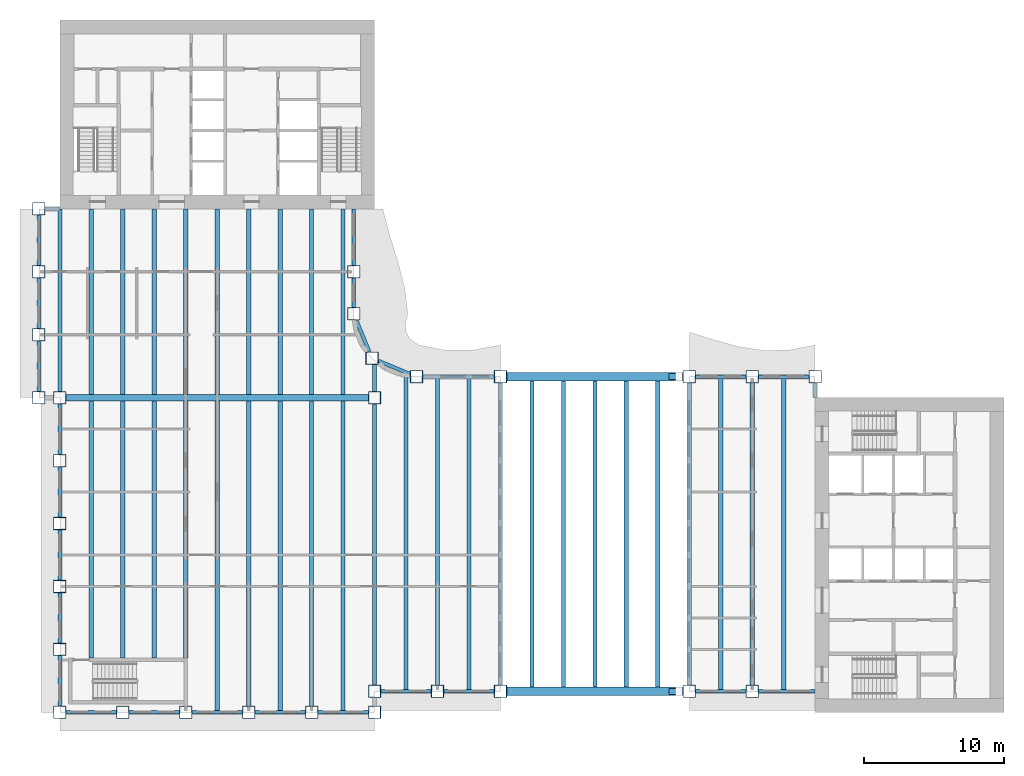
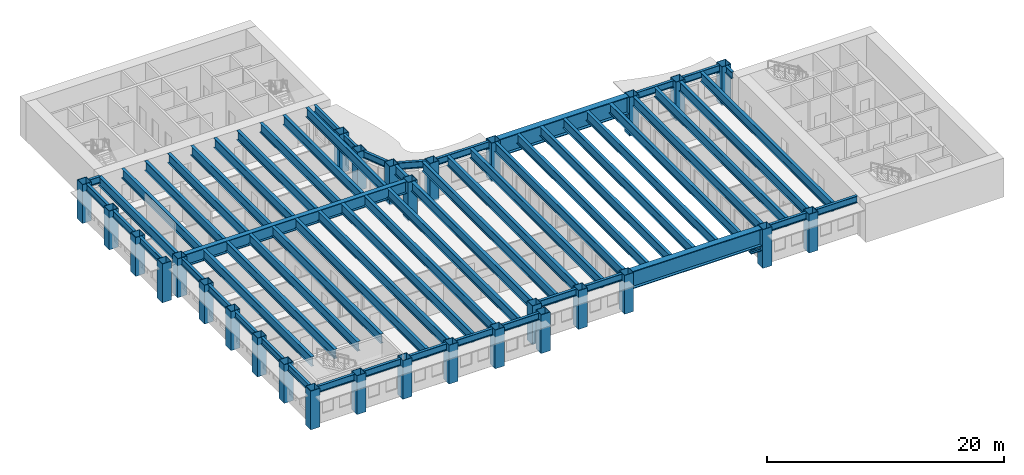
# One storey, part 1 of 13: 63 beams, 29 columns, 2 members.
"""IFC4 building model written with IfcOpenShell, lengths in metres."""

from ifc_helpers import new_model, si_unit, direction, frame, origin, origin_2d, place, context, subcontext, project, spatial, hollow_rectangle, i_section, extrude, material, material_profile, profile_set, type_object, element, save


model = new_model("IFC4")

# Units and contexts
model_context = context("Model", 3, precision=1e-05, world=origin(), true_north=direction((0.0, 1.0)))
body_context = subcontext(model_context, "Body", "Model", "MODEL_VIEW")
ifc_project = project(units=[si_unit("LENGTHUNIT", "METRE"), si_unit("AREAUNIT", "SQUARE_METRE"), si_unit("VOLUMEUNIT", "CUBIC_METRE"), si_unit("PLANEANGLEUNIT", "RADIAN"), si_unit("MASSUNIT", "GRAM", prefix="KILO")], contexts=[model_context])

# Site, building, storey
site_placement = place(None, origin())
site = spatial("IfcSite", under=ifc_project, at=site_placement, CompositionType="ELEMENT")
building_placement = place(site_placement, origin())
building = spatial("IfcBuilding", under=site, at=building_placement, Name="Sennacour Bend Tower", CompositionType="ELEMENT")
storey_placement = place(building_placement, frame((0.0, 0.0, 147.0)))
storey = spatial("IfcBuildingStorey", under=building, at=storey_placement, Name="L33", CompositionType="ELEMENT", Elevation=147.0)

# Columns
ifc_material_1 = material(Name="Steel ASTM A572 Grade 50", Category="steel")
ifc_material_profile_1 = material_profile(ifc_material_1, hollow_rectangle(XDim=0.89990234375, YDim=0.89990234375, WallThickness=0.044921875, at=origin_2d()), Name="Steel ASTM A572 Grade 50", Category="steel")
ifc_profile_set_1 = profile_set([ifc_material_profile_1], Name="Steel ASTM A572 Grade 50")
column_type = type_object("IfcColumnType", Name="Box column 900", PredefinedType="COLUMN", material=ifc_profile_set_1)
for number, where, z_axis, x_axis, name in (
    (1, (-1.5, 22.5, -0.14990234375), (0.0, 0.0, 1.0), (1.0, 0.0, 0.0), "Perimeter column C3 L33-001"),
    (2, (-1.5, 27.0, -0.14990234375), (0.0, 0.0, 1.0), (1.0, 0.0, 0.0), "Perimeter column C3 L33-002"),
    (3, (-1.5, 31.5, -0.14990234375), (0.0, 0.0, 1.0), (1.0, 0.0, 0.0), "Perimeter column C3 L33-003"),
    (4, (-1.5, 36.0, -0.14990234375), (0.0, 0.0, 1.0), (1.0, 0.0, 0.0), "Perimeter column C3 L33-004"),
    (5, (0.0, 0.0, -0.14990234375), (0.0, 0.0, 1.0), (1.0, 0.0, 0.0), "Perimeter column C3 L33-005"),
    (6, (0.0, 4.5, -0.14990234375), (0.0, 0.0, 1.0), (1.0, 0.0, 0.0), "Perimeter column C3 L33-006"),
    (7, (0.0, 9.0, -0.14990234375), (0.0, 0.0, 1.0), (1.0, 0.0, 0.0), "Perimeter column C3 L33-007"),
    (8, (0.0, 13.5, -0.14990234375), (0.0, 0.0, 1.0), (1.0, 0.0, 0.0), "Perimeter column C3 L33-008"),
    (9, (0.0, 18.0, -0.14990234375), (0.0, 0.0, 1.0), (1.0, 0.0, 0.0), "Perimeter column C3 L33-009"),
    (10, (0.0, 22.5, -0.14990234375), (0.0, 0.0, 1.0), (1.0, 0.0, 0.0), "Perimeter column C3 L33-010"),
    (11, (4.5, 0.0, -0.14990234375), (0.0, 0.0, 1.0), (1.0, 0.0, 0.0), "Perimeter column C3 L33-011"),
    (12, (9.0, 0.0, -0.14990234375), (0.0, 0.0, 1.0), (1.0, 0.0, 0.0), "Perimeter column C3 L33-012"),
    (13, (13.5, 0.0, -0.14990234375), (0.0, 0.0, 1.0), (1.0, 0.0, 0.0), "Perimeter column C3 L33-013"),
    (14, (18.0, 0.0, -0.14990234375), (0.0, 0.0, 1.0), (1.0, 0.0, 0.0), "Perimeter column C3 L33-014"),
    (15, (21.0, 28.5, -0.14990234375), (0.0, 0.0, 1.0), (1.0, 0.0, 0.0), "Perimeter column C3 L33-015"),
    (16, (21.0, 31.5, -0.14990234375), (0.0, 0.0, 1.0), (1.0, 0.0, 0.0), "Perimeter column C3 L33-016"),
    (17, (22.318115234375, 25.318115234375, -0.14990234375), (0.0, 0.0, 1.0), (1.0, 0.0, 0.0), "Perimeter column C3 L33-017"),
    (18, (22.5, 0.0, -0.14990234375), (0.0, 0.0, 1.0), (1.0, 0.0, 0.0), "Perimeter column C3 L33-018"),
    (19, (22.5, 1.5, -0.14990234375), (0.0, 0.0, 1.0), (1.0, 0.0, 0.0), "Perimeter column C3 L33-019"),
    (20, (22.5, 22.5, -0.14990234375), (0.0, 0.0, 1.0), (1.0, 0.0, 0.0), "Knuckle column C3 L33-020"),
    (21, (25.5, 24.0, -0.14990234375), (0.0, 0.0, 1.0), (1.0, 0.0, 0.0), "Perimeter column C3 L33-021"),
    (22, (27.0, 1.5, -0.14990234375), (0.0, 0.0, 1.0), (1.0, 0.0, 0.0), "Perimeter column C3 L33-022"),
    (23, (31.5, 1.5, -0.14990234375), (0.0, 0.0, 1.0), (1.0, 0.0, 0.0), "Perimeter column C3 L33-023"),
    (24, (31.5, 24.0, -0.14990234375), (0.0, 0.0, 1.0), (1.0, 0.0, 0.0), "Perimeter column C3 L33-024"),
    (25, (45.0, 1.5, -0.14990234375), (0.0, 0.0, 1.0), (1.0, 0.0, 0.0), "Perimeter column C3 L33-025"),
    (26, (45.0, 24.0, -0.14990234375), (0.0, 0.0, 1.0), (1.0, 0.0, 0.0), "Perimeter column C3 L33-026"),
    (27, (49.5, 1.5, -0.14990234375), (0.0, 0.0, 1.0), (1.0, 0.0, 0.0), "Perimeter column C3 L33-027"),
    (28, (49.5, 24.0, -0.14990234375), (0.0, 0.0, 1.0), (1.0, 0.0, 0.0), "Perimeter column C3 L33-028"),
    (29, (54.0, 24.0, -0.14990234375), (0.0, 0.0, 1.0), (1.0, 0.0, 0.0), "Perimeter column C3 L33-029"),
):
    element("IfcColumn", number, at=place(storey_placement, frame(where, z_axis=z_axis, x_axis=x_axis)), inside=storey, type_object=column_type, Name=name, PredefinedType="COLUMN", context=body_context, shape_type="SweptSolid", body=[
        extrude(hollow_rectangle(XDim=0.89990234375, YDim=0.89990234375, WallThickness=0.044921875, at=origin_2d()), origin(), (0.0, 0.0, 1.0), 4.0),
    ])

# Beams
ifc_material_2 = material(Name="Steel ASTM A992 Grade 50", Category="steel")
ifc_material_profile_2 = material_profile(ifc_material_2, i_section(OverallWidth=0.431884765625, OverallDepth=0.498046875, WebThickness=0.0556640625, FlangeThickness=0.0888671875, FilletRadius=0.01513671875, at=origin_2d()), Name="Steel ASTM A992 Grade 50", Category="steel")
ifc_profile_set_2 = profile_set([ifc_material_profile_2], Name="Steel ASTM A992 Grade 50")
beam_type_1 = type_object("IfcBeamType", Name="Bridge seat girder W360X744", PredefinedType="USERDEFINED", material=ifc_profile_set_2)
for number, where, z_axis, x_axis, name in (
    (30, (43.550048828125, 1.5, 1.760986328125), (1.0, 0.0, 0.0), (0.0, 1.0, 0.0), "Bridge seat girder BSB1 001"),
    (31, (43.550048828125, 24.0, 1.760986328125), (1.0, 0.0, 0.0), (0.0, 1.0, 0.0), "Bridge seat girder BSB1 002"),
):
    element("IfcBeam", number, at=place(storey_placement, frame(where, z_axis=z_axis, x_axis=x_axis)), inside=storey, type_object=beam_type_1, Name=name, ObjectType="BEARING SEAT", PredefinedType="USERDEFINED", context=body_context, shape_type="SweptSolid", body=[
        extrude(i_section(OverallWidth=0.431884765625, OverallDepth=0.498046875, WebThickness=0.0556640625, FlangeThickness=0.0888671875, FilletRadius=0.01513671875, at=origin_2d()), origin(), (0.0, 0.0, 1.0), 1.0),
    ])
ifc_material_profile_3 = material_profile(ifc_material_2, i_section(OverallWidth=0.300048828125, OverallDepth=0.97998046875, WebThickness=0.0166015625, FlangeThickness=0.026123046875, FilletRadius=0.02978515625, at=origin_2d()), Name="Steel ASTM A992 Grade 50", Category="steel")
ifc_profile_set_3 = profile_set([ifc_material_profile_3], Name="Steel ASTM A992 Grade 50")
beam_type_2 = type_object("IfcBeamType", Name="Floor beam W1000X249", PredefinedType="BEAM", material=ifc_profile_set_3)
beam_1_placement = place(storey_placement, frame((0.0, 22.949951171875, 3.360107421875), z_axis=(0.0, 1.0, 0.0), x_axis=(-1.0, 0.0, 0.0)))
element("IfcBeam", 32, at=beam_1_placement, inside=storey, type_object=beam_type_2, Name="Floor beam FBM2 L34-001", PredefinedType="BEAM", context=body_context, shape_type="SweptSolid", body=[
    extrude(i_section(OverallWidth=0.300048828125, OverallDepth=0.97998046875, WebThickness=0.0166015625, FlangeThickness=0.026123046875, FilletRadius=0.02978515625, at=origin_2d()), origin(), (0.0, 0.0, 1.0), 13.050048828125),
])
beam_2_placement = place(storey_placement, frame((2.25, 3.875, 3.360107421875), z_axis=(0.0, 1.0, 0.0), x_axis=(-1.0, 0.0, 0.0)))
element("IfcBeam", 33, at=beam_2_placement, inside=storey, type_object=beam_type_2, Name="Floor beam FBM2 L34-002", PredefinedType="BEAM", context=body_context, shape_type="SweptSolid", body=[
    extrude(i_section(OverallWidth=0.300048828125, OverallDepth=0.97998046875, WebThickness=0.0166015625, FlangeThickness=0.026123046875, FilletRadius=0.02978515625, at=origin_2d()), origin(), (0.0, 0.0, 1.0), 18.39990234375),
])
beam_3_placement = place(storey_placement, frame((2.25, 22.72509765625, 3.360107421875), z_axis=(0.0, 1.0, 0.0), x_axis=(-1.0, 0.0, 0.0)))
element("IfcBeam", 34, at=beam_3_placement, inside=storey, type_object=beam_type_2, Name="Floor beam FBM2 L34-003", PredefinedType="BEAM", context=body_context, shape_type="SweptSolid", body=[
    extrude(i_section(OverallWidth=0.300048828125, OverallDepth=0.97998046875, WebThickness=0.0166015625, FlangeThickness=0.026123046875, FilletRadius=0.02978515625, at=origin_2d()), origin(), (0.0, 0.0, 1.0), 13.27490234375),
])
beam_4_placement = place(storey_placement, frame((4.5, 3.875, 3.360107421875), z_axis=(0.0, 1.0, 0.0), x_axis=(-1.0, 0.0, 0.0)))
element("IfcBeam", 35, at=beam_4_placement, inside=storey, type_object=beam_type_2, Name="Floor beam FBM2 L34-004", PredefinedType="BEAM", context=body_context, shape_type="SweptSolid", body=[
    extrude(i_section(OverallWidth=0.300048828125, OverallDepth=0.97998046875, WebThickness=0.0166015625, FlangeThickness=0.026123046875, FilletRadius=0.02978515625, at=origin_2d()), origin(), (0.0, 0.0, 1.0), 18.39990234375),
])
beam_5_placement = place(storey_placement, frame((4.5, 22.72509765625, 3.360107421875), z_axis=(0.0, 1.0, 0.0), x_axis=(-1.0, 0.0, 0.0)))
element("IfcBeam", 36, at=beam_5_placement, inside=storey, type_object=beam_type_2, Name="Floor beam FBM2 L34-005", PredefinedType="BEAM", context=body_context, shape_type="SweptSolid", body=[
    extrude(i_section(OverallWidth=0.300048828125, OverallDepth=0.97998046875, WebThickness=0.0166015625, FlangeThickness=0.026123046875, FilletRadius=0.02978515625, at=origin_2d()), origin(), (0.0, 0.0, 1.0), 13.27490234375),
])
beam_6_placement = place(storey_placement, frame((6.75, 3.875, 3.360107421875), z_axis=(0.0, 1.0, 0.0), x_axis=(-1.0, 0.0, 0.0)))
element("IfcBeam", 37, at=beam_6_placement, inside=storey, type_object=beam_type_2, Name="Floor beam FBM2 L34-006", PredefinedType="BEAM", context=body_context, shape_type="SweptSolid", body=[
    extrude(i_section(OverallWidth=0.300048828125, OverallDepth=0.97998046875, WebThickness=0.0166015625, FlangeThickness=0.026123046875, FilletRadius=0.02978515625, at=origin_2d()), origin(), (0.0, 0.0, 1.0), 18.39990234375),
])
beam_7_placement = place(storey_placement, frame((6.75, 22.72509765625, 3.360107421875), z_axis=(0.0, 1.0, 0.0), x_axis=(-1.0, 0.0, 0.0)))
element("IfcBeam", 38, at=beam_7_placement, inside=storey, type_object=beam_type_2, Name="Floor beam FBM2 L34-007", PredefinedType="BEAM", context=body_context, shape_type="SweptSolid", body=[
    extrude(i_section(OverallWidth=0.300048828125, OverallDepth=0.97998046875, WebThickness=0.0166015625, FlangeThickness=0.026123046875, FilletRadius=0.02978515625, at=origin_2d()), origin(), (0.0, 0.0, 1.0), 13.27490234375),
])
beam_8_placement = place(storey_placement, frame((9.0, 3.875, 3.360107421875), z_axis=(0.0, 1.0, 0.0), x_axis=(-1.0, 0.0, 0.0)))
element("IfcBeam", 39, at=beam_8_placement, inside=storey, type_object=beam_type_2, Name="Floor beam FBM2 L34-008", PredefinedType="BEAM", context=body_context, shape_type="SweptSolid", body=[
    extrude(i_section(OverallWidth=0.300048828125, OverallDepth=0.97998046875, WebThickness=0.0166015625, FlangeThickness=0.026123046875, FilletRadius=0.02978515625, at=origin_2d()), origin(), (0.0, 0.0, 1.0), 18.39990234375),
])
beam_9_placement = place(storey_placement, frame((9.0, 22.72509765625, 3.360107421875), z_axis=(0.0, 1.0, 0.0), x_axis=(-1.0, 0.0, 0.0)))
element("IfcBeam", 40, at=beam_9_placement, inside=storey, type_object=beam_type_2, Name="Floor beam FBM2 L34-009", PredefinedType="BEAM", context=body_context, shape_type="SweptSolid", body=[
    extrude(i_section(OverallWidth=0.300048828125, OverallDepth=0.97998046875, WebThickness=0.0166015625, FlangeThickness=0.026123046875, FilletRadius=0.02978515625, at=origin_2d()), origin(), (0.0, 0.0, 1.0), 13.27490234375),
])
beam_10_placement = place(storey_placement, frame((11.25, 0.126953125, 3.360107421875), z_axis=(0.0, 1.0, 0.0), x_axis=(-1.0, 0.0, 0.0)))
element("IfcBeam", 41, at=beam_10_placement, inside=storey, type_object=beam_type_2, Name="Floor beam FBM2 L34-010", PredefinedType="BEAM", context=body_context, shape_type="SweptSolid", body=[
    extrude(i_section(OverallWidth=0.300048828125, OverallDepth=0.97998046875, WebThickness=0.0166015625, FlangeThickness=0.026123046875, FilletRadius=0.02978515625, at=origin_2d()), origin(), (0.0, 0.0, 1.0), 22.14794921875),
])
beam_11_placement = place(storey_placement, frame((11.25, 22.72509765625, 3.360107421875), z_axis=(0.0, 1.0, 0.0), x_axis=(-1.0, 0.0, 0.0)))
element("IfcBeam", 42, at=beam_11_placement, inside=storey, type_object=beam_type_2, Name="Floor beam FBM2 L34-011", PredefinedType="BEAM", context=body_context, shape_type="SweptSolid", body=[
    extrude(i_section(OverallWidth=0.300048828125, OverallDepth=0.97998046875, WebThickness=0.0166015625, FlangeThickness=0.026123046875, FilletRadius=0.02978515625, at=origin_2d()), origin(), (0.0, 0.0, 1.0), 13.27490234375),
])
beam_12_placement = place(storey_placement, frame((13.5, 0.449951171875, 3.360107421875), z_axis=(0.0, 1.0, 0.0), x_axis=(-1.0, 0.0, 0.0)))
element("IfcBeam", 43, at=beam_12_placement, inside=storey, type_object=beam_type_2, Name="Floor beam FBM2 L34-012", PredefinedType="BEAM", context=body_context, shape_type="SweptSolid", body=[
    extrude(i_section(OverallWidth=0.300048828125, OverallDepth=0.97998046875, WebThickness=0.0166015625, FlangeThickness=0.026123046875, FilletRadius=0.02978515625, at=origin_2d()), origin(), (0.0, 0.0, 1.0), 21.824951171875),
])
beam_13_placement = place(storey_placement, frame((13.5, 22.72509765625, 3.360107421875), z_axis=(0.0, 1.0, 0.0), x_axis=(-1.0, 0.0, 0.0)))
element("IfcBeam", 44, at=beam_13_placement, inside=storey, type_object=beam_type_2, Name="Floor beam FBM2 L34-013", PredefinedType="BEAM", context=body_context, shape_type="SweptSolid", body=[
    extrude(i_section(OverallWidth=0.300048828125, OverallDepth=0.97998046875, WebThickness=0.0166015625, FlangeThickness=0.026123046875, FilletRadius=0.02978515625, at=origin_2d()), origin(), (0.0, 0.0, 1.0), 13.27490234375),
])
beam_14_placement = place(storey_placement, frame((15.75, 0.126953125, 3.360107421875), z_axis=(0.0, 1.0, 0.0), x_axis=(-1.0, 0.0, 0.0)))
element("IfcBeam", 45, at=beam_14_placement, inside=storey, type_object=beam_type_2, Name="Floor beam FBM2 L34-014", PredefinedType="BEAM", context=body_context, shape_type="SweptSolid", body=[
    extrude(i_section(OverallWidth=0.300048828125, OverallDepth=0.97998046875, WebThickness=0.0166015625, FlangeThickness=0.026123046875, FilletRadius=0.02978515625, at=origin_2d()), origin(), (0.0, 0.0, 1.0), 22.14794921875),
])
beam_15_placement = place(storey_placement, frame((15.75, 22.72509765625, 3.360107421875), z_axis=(0.0, 1.0, 0.0), x_axis=(-1.0, 0.0, 0.0)))
element("IfcBeam", 46, at=beam_15_placement, inside=storey, type_object=beam_type_2, Name="Floor beam FBM2 L34-015", PredefinedType="BEAM", context=body_context, shape_type="SweptSolid", body=[
    extrude(i_section(OverallWidth=0.300048828125, OverallDepth=0.97998046875, WebThickness=0.0166015625, FlangeThickness=0.026123046875, FilletRadius=0.02978515625, at=origin_2d()), origin(), (0.0, 0.0, 1.0), 13.27490234375),
])
beam_16_placement = place(storey_placement, frame((18.0, 0.449951171875, 3.360107421875), z_axis=(0.0, 1.0, 0.0), x_axis=(-1.0, 0.0, 0.0)))
element("IfcBeam", 47, at=beam_16_placement, inside=storey, type_object=beam_type_2, Name="Floor beam FBM2 L34-016", PredefinedType="BEAM", context=body_context, shape_type="SweptSolid", body=[
    extrude(i_section(OverallWidth=0.300048828125, OverallDepth=0.97998046875, WebThickness=0.0166015625, FlangeThickness=0.026123046875, FilletRadius=0.02978515625, at=origin_2d()), origin(), (0.0, 0.0, 1.0), 21.824951171875),
])
beam_17_placement = place(storey_placement, frame((18.0, 22.72509765625, 3.360107421875), z_axis=(0.0, 1.0, 0.0), x_axis=(-1.0, 0.0, 0.0)))
element("IfcBeam", 48, at=beam_17_placement, inside=storey, type_object=beam_type_2, Name="Floor beam FBM2 L34-017", PredefinedType="BEAM", context=body_context, shape_type="SweptSolid", body=[
    extrude(i_section(OverallWidth=0.300048828125, OverallDepth=0.97998046875, WebThickness=0.0166015625, FlangeThickness=0.026123046875, FilletRadius=0.02978515625, at=origin_2d()), origin(), (0.0, 0.0, 1.0), 13.27490234375),
])
beam_18_placement = place(storey_placement, frame((20.25, 0.126953125, 3.360107421875), z_axis=(0.0, 1.0, 0.0), x_axis=(-1.0, 0.0, 0.0)))
element("IfcBeam", 49, at=beam_18_placement, inside=storey, type_object=beam_type_2, Name="Floor beam FBM2 L34-018", PredefinedType="BEAM", context=body_context, shape_type="SweptSolid", body=[
    extrude(i_section(OverallWidth=0.300048828125, OverallDepth=0.97998046875, WebThickness=0.0166015625, FlangeThickness=0.026123046875, FilletRadius=0.02978515625, at=origin_2d()), origin(), (0.0, 0.0, 1.0), 22.14794921875),
])
beam_19_placement = place(storey_placement, frame((20.25, 22.72509765625, 3.360107421875), z_axis=(0.0, 1.0, 0.0), x_axis=(-1.0, 0.0, 0.0)))
element("IfcBeam", 50, at=beam_19_placement, inside=storey, type_object=beam_type_2, Name="Floor beam FBM2 L34-019", PredefinedType="BEAM", context=body_context, shape_type="SweptSolid", body=[
    extrude(i_section(OverallWidth=0.300048828125, OverallDepth=0.97998046875, WebThickness=0.0166015625, FlangeThickness=0.026123046875, FilletRadius=0.02978515625, at=origin_2d()), origin(), (0.0, 0.0, 1.0), 13.27490234375),
])
beam_20_placement = place(storey_placement, frame((22.5, 1.949951171875, 3.360107421875), z_axis=(0.0, 1.0, 0.0), x_axis=(-1.0, 0.0, 0.0)))
element("IfcBeam", 51, at=beam_20_placement, inside=storey, type_object=beam_type_2, Name="Floor beam FBM2 L34-020", PredefinedType="BEAM", context=body_context, shape_type="SweptSolid", body=[
    extrude(i_section(OverallWidth=0.300048828125, OverallDepth=0.97998046875, WebThickness=0.0166015625, FlangeThickness=0.026123046875, FilletRadius=0.02978515625, at=origin_2d()), origin(), (0.0, 0.0, 1.0), 20.10009765625),
])
beam_21_placement = place(storey_placement, frame((22.5, 22.949951171875, 3.360107421875), z_axis=(0.0, 1.0, 0.0), x_axis=(-1.0, 0.0, 0.0)))
element("IfcBeam", 52, at=beam_21_placement, inside=storey, type_object=beam_type_2, Name="Floor beam FBM2 L34-021", PredefinedType="BEAM", context=body_context, shape_type="SweptSolid", body=[
    extrude(i_section(OverallWidth=0.300048828125, OverallDepth=0.97998046875, WebThickness=0.0166015625, FlangeThickness=0.026123046875, FilletRadius=0.02978515625, at=origin_2d()), origin(), (0.0, 0.0, 1.0), 1.91796875),
])
beam_22_placement = place(storey_placement, frame((24.75, 1.626953125, 3.360107421875), z_axis=(0.0, 1.0, 0.0), x_axis=(-1.0, 0.0, 0.0)))
element("IfcBeam", 53, at=beam_22_placement, inside=storey, type_object=beam_type_2, Name="Floor beam FBM2 L34-022", PredefinedType="BEAM", context=body_context, shape_type="SweptSolid", body=[
    extrude(i_section(OverallWidth=0.300048828125, OverallDepth=0.97998046875, WebThickness=0.0166015625, FlangeThickness=0.026123046875, FilletRadius=0.02978515625, at=origin_2d()), origin(), (0.0, 0.0, 1.0), 22.546142578125),
])
beam_23_placement = place(storey_placement, frame((27.0, 1.949951171875, 3.360107421875), z_axis=(0.0, 1.0, 0.0), x_axis=(-1.0, 0.0, 0.0)))
element("IfcBeam", 54, at=beam_23_placement, inside=storey, type_object=beam_type_2, Name="Floor beam FBM2 L34-023", PredefinedType="BEAM", context=body_context, shape_type="SweptSolid", body=[
    extrude(i_section(OverallWidth=0.300048828125, OverallDepth=0.97998046875, WebThickness=0.0166015625, FlangeThickness=0.026123046875, FilletRadius=0.02978515625, at=origin_2d()), origin(), (0.0, 0.0, 1.0), 21.923095703125),
])
beam_24_placement = place(storey_placement, frame((29.25, 1.626953125, 3.360107421875), z_axis=(0.0, 1.0, 0.0), x_axis=(-1.0, 0.0, 0.0)))
element("IfcBeam", 55, at=beam_24_placement, inside=storey, type_object=beam_type_2, Name="Floor beam FBM2 L34-024", PredefinedType="BEAM", context=body_context, shape_type="SweptSolid", body=[
    extrude(i_section(OverallWidth=0.300048828125, OverallDepth=0.97998046875, WebThickness=0.0166015625, FlangeThickness=0.026123046875, FilletRadius=0.02978515625, at=origin_2d()), origin(), (0.0, 0.0, 1.0), 22.24609375),
])
beam_25_placement = place(storey_placement, frame((31.5, 1.949951171875, 3.360107421875), z_axis=(0.0, 1.0, 0.0), x_axis=(-1.0, 0.0, 0.0)))
element("IfcBeam", 56, at=beam_25_placement, inside=storey, type_object=beam_type_2, Name="Floor beam FBM2 L34-025", PredefinedType="BEAM", context=body_context, shape_type="SweptSolid", body=[
    extrude(i_section(OverallWidth=0.300048828125, OverallDepth=0.97998046875, WebThickness=0.0166015625, FlangeThickness=0.026123046875, FilletRadius=0.02978515625, at=origin_2d()), origin(), (0.0, 0.0, 1.0), 21.60009765625),
])
for number, where, z_axis, x_axis, name in (
    (57, (33.75, 1.800048828125, 3.360107421875), (0.0, 1.0, 0.0), (-1.0, 0.0, 0.0), "Floor beam FBM2 L34-026"),
    (58, (36.0, 1.800048828125, 3.360107421875), (0.0, 1.0, 0.0), (-1.0, 0.0, 0.0), "Floor beam FBM2 L34-027"),
    (59, (38.25, 1.800048828125, 3.360107421875), (0.0, 1.0, 0.0), (-1.0, 0.0, 0.0), "Floor beam FBM2 L34-028"),
    (60, (40.5, 1.800048828125, 3.360107421875), (0.0, 1.0, 0.0), (-1.0, 0.0, 0.0), "Floor beam FBM2 L34-029"),
    (61, (42.75, 1.800048828125, 3.360107421875), (0.0, 1.0, 0.0), (-1.0, 0.0, 0.0), "Floor beam FBM2 L34-030"),
):
    element("IfcBeam", number, at=place(storey_placement, frame(where, z_axis=z_axis, x_axis=x_axis)), inside=storey, type_object=beam_type_2, Name=name, PredefinedType="BEAM", context=body_context, shape_type="SweptSolid", body=[
        extrude(i_section(OverallWidth=0.300048828125, OverallDepth=0.97998046875, WebThickness=0.0166015625, FlangeThickness=0.026123046875, FilletRadius=0.02978515625, at=origin_2d()), origin(), (0.0, 0.0, 1.0), 21.89990234375),
    ])
beam_26_placement = place(storey_placement, frame((45.0, 1.949951171875, 3.360107421875), z_axis=(0.0, 1.0, 0.0), x_axis=(-1.0, 0.0, 0.0)))
element("IfcBeam", 62, at=beam_26_placement, inside=storey, type_object=beam_type_2, Name="Floor beam FBM2 L34-031", PredefinedType="BEAM", context=body_context, shape_type="SweptSolid", body=[
    extrude(i_section(OverallWidth=0.300048828125, OverallDepth=0.97998046875, WebThickness=0.0166015625, FlangeThickness=0.026123046875, FilletRadius=0.02978515625, at=origin_2d()), origin(), (0.0, 0.0, 1.0), 21.60009765625),
])
beam_27_placement = place(storey_placement, frame((47.25, 1.626953125, 3.360107421875), z_axis=(0.0, 1.0, 0.0), x_axis=(-1.0, 0.0, 0.0)))
element("IfcBeam", 63, at=beam_27_placement, inside=storey, type_object=beam_type_2, Name="Floor beam FBM2 L34-032", PredefinedType="BEAM", context=body_context, shape_type="SweptSolid", body=[
    extrude(i_section(OverallWidth=0.300048828125, OverallDepth=0.97998046875, WebThickness=0.0166015625, FlangeThickness=0.026123046875, FilletRadius=0.02978515625, at=origin_2d()), origin(), (0.0, 0.0, 1.0), 22.24609375),
])
beam_28_placement = place(storey_placement, frame((49.5, 1.949951171875, 3.360107421875), z_axis=(0.0, 1.0, 0.0), x_axis=(-1.0, 0.0, 0.0)))
element("IfcBeam", 64, at=beam_28_placement, inside=storey, type_object=beam_type_2, Name="Floor beam FBM2 L34-033", PredefinedType="BEAM", context=body_context, shape_type="SweptSolid", body=[
    extrude(i_section(OverallWidth=0.300048828125, OverallDepth=0.97998046875, WebThickness=0.0166015625, FlangeThickness=0.026123046875, FilletRadius=0.02978515625, at=origin_2d()), origin(), (0.0, 0.0, 1.0), 21.60009765625),
])
beam_29_placement = place(storey_placement, frame((51.75, 1.626953125, 3.360107421875), z_axis=(0.0, 1.0, 0.0), x_axis=(-1.0, 0.0, 0.0)))
element("IfcBeam", 65, at=beam_29_placement, inside=storey, type_object=beam_type_2, Name="Floor beam FBM2 L34-034", PredefinedType="BEAM", context=body_context, shape_type="SweptSolid", body=[
    extrude(i_section(OverallWidth=0.300048828125, OverallDepth=0.97998046875, WebThickness=0.0166015625, FlangeThickness=0.026123046875, FilletRadius=0.02978515625, at=origin_2d()), origin(), (0.0, 0.0, 1.0), 22.24609375),
])
ifc_material_profile_4 = material_profile(ifc_material_1, i_section(OverallWidth=0.449951171875, OverallDepth=1.25, WebThickness=0.028076171875, FlangeThickness=0.050048828125, at=origin_2d()), Name="Steel ASTM A572 Grade 50", Category="steel")
ifc_profile_set_4 = profile_set([ifc_material_profile_4], Name="Steel ASTM A572 Grade 50")
beam_type_3 = type_object("IfcBeamType", Name="Knuckle girder 1250", PredefinedType="USERDEFINED", material=ifc_profile_set_4)
beam_30_placement = place(storey_placement, frame((0.449951171875, 22.5, 3.22509765625), z_axis=(1.0, 0.0, 0.0), x_axis=(0.0, 1.0, 0.0)))
element("IfcBeam", 66, at=beam_30_placement, inside=storey, type_object=beam_type_3, Name="Knuckle girder GK L34-001", ObjectType="KNUCKLE GIRDER", PredefinedType="USERDEFINED", context=body_context, shape_type="SweptSolid", body=[
    extrude(i_section(OverallWidth=0.449951171875, OverallDepth=1.25, WebThickness=0.028076171875, FlangeThickness=0.050048828125, at=origin_2d()), origin(), (0.0, 0.0, 1.0), 21.60009765625),
])

# Members
ifc_material_profile_5 = material_profile(ifc_material_1, i_section(OverallWidth=0.60009765625, OverallDepth=1.800048828125, WebThickness=0.0400390625, FlangeThickness=0.070068359375, at=origin_2d()), Name="Steel ASTM A572 Grade 50", Category="steel")
ifc_profile_set_5 = profile_set([ifc_material_profile_5], Name="Steel ASTM A572 Grade 50")
member_type = type_object("IfcMemberType", Name="Sky bridge chord 1800", PredefinedType="CHORD", material=ifc_profile_set_5)
for number, where, z_axis, x_axis, name in (
    (67, (31.949951171875, 1.5, 2.949951171875), (1.0, 0.0, 0.0), (0.0, 1.0, 0.0), "Sky bridge chord VC L34-001"),
    (68, (31.949951171875, 24.0, 2.949951171875), (1.0, 0.0, 0.0), (0.0, 1.0, 0.0), "Sky bridge chord VC L34-002"),
):
    element("IfcMember", number, at=place(storey_placement, frame(where, z_axis=z_axis, x_axis=x_axis)), inside=storey, type_object=member_type, Name=name, PredefinedType="CHORD", context=body_context, shape_type="SweptSolid", body=[
        extrude(i_section(OverallWidth=0.60009765625, OverallDepth=1.800048828125, WebThickness=0.0400390625, FlangeThickness=0.070068359375, at=origin_2d()), origin(), (0.0, 0.0, 1.0), 12.60009765625),
    ])

# Beams
ifc_material_profile_6 = material_profile(ifc_material_2, i_section(OverallWidth=0.25390625, OverallDepth=0.700927734375, WebThickness=0.015380859375, FlangeThickness=0.02783203125, FilletRadius=0.015380859375, at=origin_2d()), Name="Steel ASTM A992 Grade 50", Category="steel")
ifc_profile_set_6 = profile_set([ifc_material_profile_6], Name="Steel ASTM A992 Grade 50")
beam_type_4 = type_object("IfcBeamType", Name="Spandrel beam W690X192", PredefinedType="SPANDREL", material=ifc_profile_set_6)
for number, where, z_axis, x_axis, name in (
    (69, (0.0, 0.449951171875, 3.49951171875), (0.0, 1.0, 0.0), (-1.0, 0.0, 0.0), "Spandrel beam SP4 L34-001"),
    (70, (0.0, 4.949951171875, 3.49951171875), (0.0, 1.0, 0.0), (-1.0, 0.0, 0.0), "Spandrel beam SP4 L34-002"),
    (71, (0.0, 9.449951171875, 3.49951171875), (0.0, 1.0, 0.0), (-1.0, 0.0, 0.0), "Spandrel beam SP4 L34-003"),
    (72, (0.0, 13.949951171875, 3.49951171875), (0.0, 1.0, 0.0), (-1.0, 0.0, 0.0), "Spandrel beam SP4 L34-004"),
    (73, (0.0, 18.449951171875, 3.49951171875), (0.0, 1.0, 0.0), (-1.0, 0.0, 0.0), "Spandrel beam SP4 L34-005"),
    (74, (-1.5, 22.949951171875, 3.49951171875), (0.0, 1.0, 0.0), (-1.0, 0.0, 0.0), "Spandrel beam SP4 L34-006"),
    (75, (-1.5, 27.449951171875, 3.49951171875), (0.0, 1.0, 0.0), (-1.0, 0.0, 0.0), "Spandrel beam SP4 L34-007"),
    (76, (-1.5, 31.949951171875, 3.49951171875), (0.0, 1.0, 0.0), (-1.0, 0.0, 0.0), "Spandrel beam SP4 L34-008"),
):
    element("IfcBeam", number, at=place(storey_placement, frame(where, z_axis=z_axis, x_axis=x_axis)), inside=storey, type_object=beam_type_4, Name=name, PredefinedType="SPANDREL", context=body_context, shape_type="SweptSolid", body=[
        extrude(i_section(OverallWidth=0.25390625, OverallDepth=0.700927734375, WebThickness=0.015380859375, FlangeThickness=0.02783203125, FilletRadius=0.015380859375, at=origin_2d()), origin(), (0.0, 0.0, 1.0), 3.60009765625),
    ])
beam_31_placement = place(storey_placement, frame((-1.050048828125, 36.0, 3.49951171875), z_axis=(1.0, 0.0, 0.0), x_axis=(0.0, 1.0, 0.0)))
element("IfcBeam", 77, at=beam_31_placement, inside=storey, type_object=beam_type_4, Name="Spandrel beam SP4 L34-009", PredefinedType="SPANDREL", context=body_context, shape_type="SweptSolid", body=[
    extrude(i_section(OverallWidth=0.25390625, OverallDepth=0.700927734375, WebThickness=0.015380859375, FlangeThickness=0.02783203125, FilletRadius=0.015380859375, at=origin_2d()), origin(), (0.0, 0.0, 1.0), 1.050048828125),
])
beam_32_placement = place(storey_placement, frame((21.0, 36.0, 3.49951171875), z_axis=(0.0, -1.0, 0.0), x_axis=(1.0, 0.0, 0.0)))
element("IfcBeam", 78, at=beam_32_placement, inside=storey, type_object=beam_type_4, Name="Spandrel beam SP4 L34-010", PredefinedType="SPANDREL", context=body_context, shape_type="SweptSolid", body=[
    extrude(i_section(OverallWidth=0.25390625, OverallDepth=0.700927734375, WebThickness=0.015380859375, FlangeThickness=0.02783203125, FilletRadius=0.015380859375, at=origin_2d()), origin(), (0.0, 0.0, 1.0), 4.050048828125),
])
beam_33_placement = place(storey_placement, frame((21.0, 31.050048828125, 3.49951171875), z_axis=(0.0, -1.0, 0.0), x_axis=(1.0, 0.0, 0.0)))
element("IfcBeam", 79, at=beam_33_placement, inside=storey, type_object=beam_type_4, Name="Spandrel beam SP4 L34-011", PredefinedType="SPANDREL", context=body_context, shape_type="SweptSolid", body=[
    extrude(i_section(OverallWidth=0.25390625, OverallDepth=0.700927734375, WebThickness=0.015380859375, FlangeThickness=0.02783203125, FilletRadius=0.015380859375, at=origin_2d()), origin(), (0.0, 0.0, 1.0), 2.10009765625),
])
for number, where, z_axis, x_axis, name in (
    (80, (21.186279296875, 28.050048828125, 3.49951171875), (0.382712608723, -0.923867446728, 0.0), (0.923867446728, 0.382712608723, 0.0), "Spandrel beam SP4 L34-012"),
    (81, (22.76806640625, 25.131591796875, 3.49951171875), (0.923867446728, -0.382712608723, 0.0), (0.382712608723, 0.923867446728, 0.0), "Spandrel beam SP4 L34-013"),
):
    element("IfcBeam", number, at=place(storey_placement, frame(where, z_axis=z_axis, x_axis=x_axis)), inside=storey, type_object=beam_type_4, Name=name, PredefinedType="SPANDREL", context=body_context, shape_type="SweptSolid", body=[
        extrude(i_section(OverallWidth=0.25390625, OverallDepth=0.700927734375, WebThickness=0.015380859375, FlangeThickness=0.02783203125, FilletRadius=0.015380859375, at=origin_2d()), origin(), (0.0, 0.0, 1.0), 2.469970703125),
    ])
beam_34_placement = place(storey_placement, frame((25.949951171875, 24.0, 3.49951171875), z_axis=(1.0, 0.0, 0.0), x_axis=(0.0, 1.0, 0.0)))
element("IfcBeam", 82, at=beam_34_placement, inside=storey, type_object=beam_type_4, Name="Spandrel beam SP4 L34-014", PredefinedType="SPANDREL", context=body_context, shape_type="SweptSolid", body=[
    extrude(i_section(OverallWidth=0.25390625, OverallDepth=0.700927734375, WebThickness=0.015380859375, FlangeThickness=0.02783203125, FilletRadius=0.015380859375, at=origin_2d()), origin(), (0.0, 0.0, 1.0), 5.10009765625),
])
for number, where, z_axis, x_axis, name in (
    (83, (45.449951171875, 24.0, 3.49951171875), (1.0, 0.0, 0.0), (0.0, 1.0, 0.0), "Spandrel beam SP4 L34-015"),
    (84, (49.949951171875, 24.0, 3.49951171875), (1.0, 0.0, 0.0), (0.0, 1.0, 0.0), "Spandrel beam SP4 L34-016"),
):
    element("IfcBeam", number, at=place(storey_placement, frame(where, z_axis=z_axis, x_axis=x_axis)), inside=storey, type_object=beam_type_4, Name=name, PredefinedType="SPANDREL", context=body_context, shape_type="SweptSolid", body=[
        extrude(i_section(OverallWidth=0.25390625, OverallDepth=0.700927734375, WebThickness=0.015380859375, FlangeThickness=0.02783203125, FilletRadius=0.015380859375, at=origin_2d()), origin(), (0.0, 0.0, 1.0), 3.60009765625),
    ])
beam_35_placement = place(storey_placement, frame((54.0, 23.550048828125, 3.49951171875), z_axis=(0.0, -1.0, 0.0), x_axis=(1.0, 0.0, 0.0)))
element("IfcBeam", 85, at=beam_35_placement, inside=storey, type_object=beam_type_4, Name="Spandrel beam SP4 L34-017", PredefinedType="SPANDREL", context=body_context, shape_type="SweptSolid", body=[
    extrude(i_section(OverallWidth=0.25390625, OverallDepth=0.700927734375, WebThickness=0.015380859375, FlangeThickness=0.02783203125, FilletRadius=0.015380859375, at=origin_2d()), origin(), (0.0, 0.0, 1.0), 1.050048828125),
])
beam_36_placement = place(storey_placement, frame((54.0, 1.5, 3.49951171875), z_axis=(-1.0, 0.0, 0.0), x_axis=(0.0, -1.0, 0.0)))
element("IfcBeam", 86, at=beam_36_placement, inside=storey, type_object=beam_type_4, Name="Spandrel beam SP4 L34-018", PredefinedType="SPANDREL", context=body_context, shape_type="SweptSolid", body=[
    extrude(i_section(OverallWidth=0.25390625, OverallDepth=0.700927734375, WebThickness=0.015380859375, FlangeThickness=0.02783203125, FilletRadius=0.015380859375, at=origin_2d()), origin(), (0.0, 0.0, 1.0), 4.050048828125),
])
for number, where, z_axis, x_axis, name in (
    (87, (49.050048828125, 1.5, 3.49951171875), (-1.0, 0.0, 0.0), (0.0, -1.0, 0.0), "Spandrel beam SP4 L34-019"),
    (88, (31.050048828125, 1.5, 3.49951171875), (-1.0, 0.0, 0.0), (0.0, -1.0, 0.0), "Spandrel beam SP4 L34-020"),
    (89, (26.550048828125, 1.5, 3.49951171875), (-1.0, 0.0, 0.0), (0.0, -1.0, 0.0), "Spandrel beam SP4 L34-021"),
    (90, (22.050048828125, 0.0, 3.49951171875), (-1.0, 0.0, 0.0), (0.0, -1.0, 0.0), "Spandrel beam SP4 L34-022"),
    (91, (17.550048828125, 0.0, 3.49951171875), (-1.0, 0.0, 0.0), (0.0, -1.0, 0.0), "Spandrel beam SP4 L34-023"),
    (92, (13.050048828125, 0.0, 3.49951171875), (-1.0, 0.0, 0.0), (0.0, -1.0, 0.0), "Spandrel beam SP4 L34-024"),
    (93, (8.550048828125, 0.0, 3.49951171875), (-1.0, 0.0, 0.0), (0.0, -1.0, 0.0), "Spandrel beam SP4 L34-025"),
    (94, (4.050048828125, 0.0, 3.49951171875), (-1.0, 0.0, 0.0), (0.0, -1.0, 0.0), "Spandrel beam SP4 L34-026"),
):
    element("IfcBeam", number, at=place(storey_placement, frame(where, z_axis=z_axis, x_axis=x_axis)), inside=storey, type_object=beam_type_4, Name=name, PredefinedType="SPANDREL", context=body_context, shape_type="SweptSolid", body=[
        extrude(i_section(OverallWidth=0.25390625, OverallDepth=0.700927734375, WebThickness=0.015380859375, FlangeThickness=0.02783203125, FilletRadius=0.015380859375, at=origin_2d()), origin(), (0.0, 0.0, 1.0), 3.60009765625),
    ])

save(model, "model.ifc")
